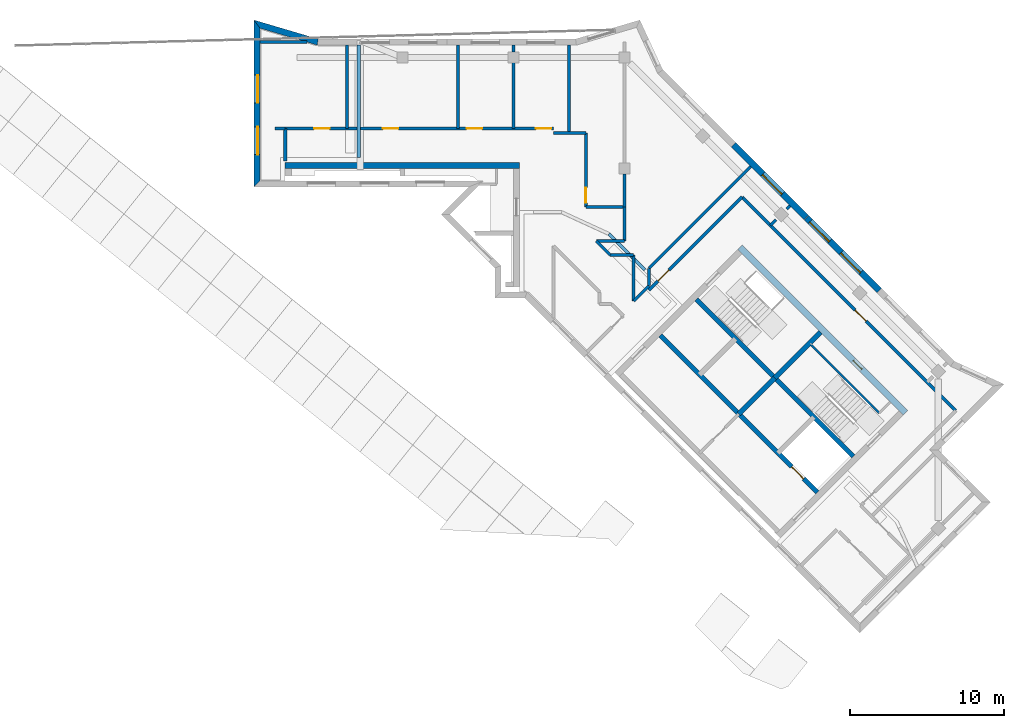
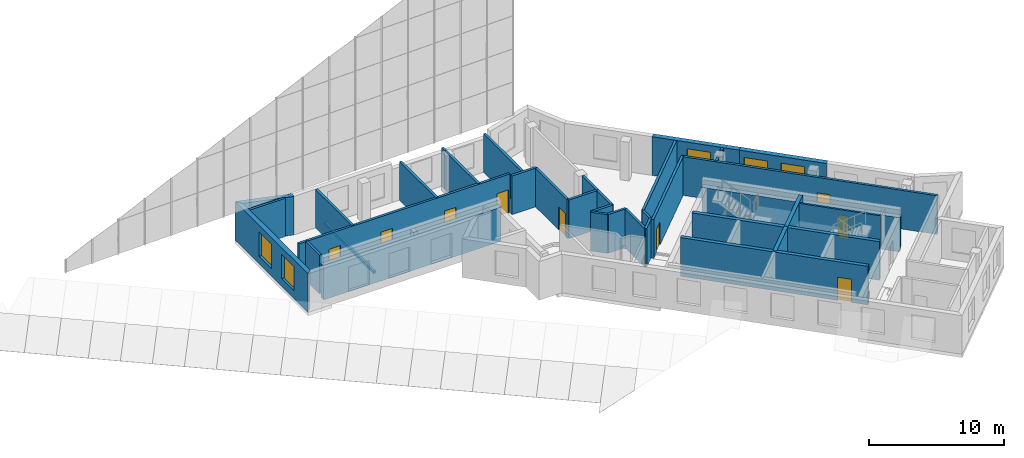
# One storey, part 8 of 13: 39 walls, 9 doors, 5 windows, 14 openings.
"""IFC4 building model written with IfcOpenShell, lengths in metres."""

from ifc_helpers import new_model, si_unit, direction, frame, frame_2d, origin, place, context, subcontext, project, spatial, polyline, rectangle, outline, extrude, material, layer, layer_set, type_object, element, fill, save


model = new_model("IFC4")

# Units and contexts
model_context = context("Model", 3, precision=1e-05, world=origin(), true_north=direction((0.0, 1.0)))
body_context = subcontext(model_context, "Body", "Model", "MODEL_VIEW")
ifc_project = project(units=[si_unit("LENGTHUNIT", "METRE"), si_unit("AREAUNIT", "SQUARE_METRE"), si_unit("VOLUMEUNIT", "CUBIC_METRE"), si_unit("PLANEANGLEUNIT", "RADIAN"), si_unit("MASSUNIT", "GRAM", prefix="KILO")], contexts=[model_context])

# Site, building, storey
site_placement = place(None, origin())
site = spatial("IfcSite", under=ifc_project, at=site_placement, CompositionType="ELEMENT")
building_placement = place(site_placement, origin())
building = spatial("IfcBuilding", under=site, at=building_placement, Name="Windrow Commons", CompositionType="ELEMENT")
storey_placement = place(building_placement, frame((0.0, 0.0, 302.0)))
storey = spatial("IfcBuildingStorey", under=building, at=storey_placement, Name="L82", CompositionType="ELEMENT", Elevation=302.0)

# Wall, opening, door
ifc_material_1 = material(Name="Blockwork partition", Category="masonry")
ifc_layer_1 = layer(ifc_material_1, 0.2)
ifc_layer_set_1 = layer_set([ifc_layer_1], Name="IW-CORRIDOR-200")
wall_type_1 = type_object("IfcWallType", Name="IW-CORRIDOR-200", PredefinedType="PARTITIONING", material=ifc_layer_set_1)
wall_1_placement = place(storey_placement, frame((86.8327, 62.9467, 0.0), z_axis=(0.0, 0.0, 1.0), x_axis=(0.7071067812, -0.7071067812, 0.0)))
wall_1 = element("IfcWall", 1, at=wall_1_placement, inside=storey, type_object=wall_type_1, Name="W-L82-W001", PredefinedType="PARTITIONING", context=body_context, shape_type="SweptSolid", body=[
    extrude(rectangle(XDim=19.601, YDim=0.2, at=frame_2d((9.8005, 0.0))), origin(), (0.0, 0.0, 1.0), 3.5),
])
opening_1_placement = place(wall_1_placement, frame((10.3856, 0.0, 0.0)))
opening_1 = element("IfcOpeningElement", 2, at=opening_1_placement, cuts=wall_1, Name="Opening D410F", PredefinedType="OPENING", context=body_context, shape_type="SweptSolid", body=[
    extrude(rectangle(XDim=1.0, YDim=2.1, at=frame_2d((0.5, 1.05))), frame((0.0, 0.11, 0.0), z_axis=(0.0, -1.0, 0.0), x_axis=(1.0, 0.0, 0.0)), (0.0, 0.0, 1.0), 0.22),
])
ifc_material_2 = material(Name="Timber door leaf", Category="wood")
door_type_1 = type_object("IfcDoorType", Name="DT-SERVICE-1000", OperationType="SINGLE_SWING_LEFT", PredefinedType="DOOR", material=ifc_material_2)
door_1_placement = place(opening_1_placement, origin())
door_1 = element("IfcDoor", 3, at=door_1_placement, inside=storey, type_object=door_type_1, Name="D-L82-D008", OperationType="SINGLE_SWING_LEFT", OverallHeight=2.1, OverallWidth=1.0, PredefinedType="DOOR", context=body_context, shape_type="SweptSolid", body=[
    extrude(rectangle(XDim=1.0, YDim=2.1, at=frame_2d((0.5, 1.05))), frame((0.0, 0.025, 0.0), z_axis=(0.0, -1.0, 0.0), x_axis=(1.0, 0.0, 0.0)), (0.0, 0.0, 1.0), 0.05),
])
fill(opening_1, door_1)

# Wall, openings, doors
wall_2_placement = place(storey_placement, frame((57.2, 67.4, 0.0), z_axis=(0.0, 0.0, 1.0), x_axis=(1.0, 0.0, 0.0)))
wall_2 = element("IfcWall", 4, at=wall_2_placement, inside=storey, type_object=wall_type_1, Name="W-L82-W002", PredefinedType="PARTITIONING", context=body_context, shape_type="SweptSolid", body=[
    extrude(rectangle(XDim=17.4, YDim=0.2, at=frame_2d((8.7, 0.0))), origin(), (0.0, 0.0, 1.0), 3.5),
])
opening_2_placement = place(wall_2_placement, frame((1.8815, 0.0, 0.0)))
opening_2 = element("IfcOpeningElement", 5, at=opening_2_placement, cuts=wall_2, Name="Opening D410F", PredefinedType="OPENING", context=body_context, shape_type="SweptSolid", body=[
    extrude(rectangle(XDim=1.0, YDim=2.1, at=frame_2d((0.5, 1.05))), frame((0.0, 0.11, 0.0), z_axis=(0.0, -1.0, 0.0), x_axis=(1.0, 0.0, 0.0)), (0.0, 0.0, 1.0), 0.22),
])
opening_3_placement = place(wall_2_placement, frame((6.3375, 0.0, 0.0)))
opening_3 = element("IfcOpeningElement", 6, at=opening_3_placement, cuts=wall_2, Name="Opening D410F", PredefinedType="OPENING", context=body_context, shape_type="SweptSolid", body=[
    extrude(rectangle(XDim=1.0, YDim=2.1, at=frame_2d((0.5, 1.05))), frame((0.0, 0.11, 0.0), z_axis=(0.0, -1.0, 0.0), x_axis=(1.0, 0.0, 0.0)), (0.0, 0.0, 1.0), 0.22),
])
opening_4_placement = place(wall_2_placement, frame((11.7675, 0.0, 0.0)))
opening_4 = element("IfcOpeningElement", 7, at=opening_4_placement, cuts=wall_2, Name="Opening D410F", PredefinedType="OPENING", context=body_context, shape_type="SweptSolid", body=[
    extrude(rectangle(XDim=1.0, YDim=2.1, at=frame_2d((0.5, 1.05))), frame((0.0, 0.11, 0.0), z_axis=(0.0, -1.0, 0.0), x_axis=(1.0, 0.0, 0.0)), (0.0, 0.0, 1.0), 0.22),
])
opening_5_placement = place(wall_2_placement, frame((16.2653, 0.0, 0.0)))
opening_5 = element("IfcOpeningElement", 8, at=opening_5_placement, cuts=wall_2, Name="Opening D410F", PredefinedType="OPENING", context=body_context, shape_type="SweptSolid", body=[
    extrude(rectangle(XDim=1.0, YDim=2.1, at=frame_2d((0.5, 1.05))), frame((0.0, 0.11, 0.0), z_axis=(0.0, -1.0, 0.0), x_axis=(1.0, 0.0, 0.0)), (0.0, 0.0, 1.0), 0.22),
])
door_2_placement = place(opening_2_placement, origin())
door_2 = element("IfcDoor", 9, at=door_2_placement, inside=storey, type_object=door_type_1, Name="D-L82-D001", OperationType="SINGLE_SWING_RIGHT", OverallHeight=2.1, OverallWidth=1.0, PredefinedType="DOOR", context=body_context, shape_type="SweptSolid", body=[
    extrude(rectangle(XDim=1.0, YDim=2.1, at=frame_2d((0.5, 1.05))), frame((0.0, 0.025, 0.0), z_axis=(0.0, -1.0, 0.0), x_axis=(1.0, 0.0, 0.0)), (0.0, 0.0, 1.0), 0.05),
])
fill(opening_2, door_2)
door_3_placement = place(opening_3_placement, origin())
door_3 = element("IfcDoor", 10, at=door_3_placement, inside=storey, type_object=door_type_1, Name="D-L82-D002", OperationType="SINGLE_SWING_LEFT", OverallHeight=2.1, OverallWidth=1.0, PredefinedType="DOOR", context=body_context, shape_type="SweptSolid", body=[
    extrude(rectangle(XDim=1.0, YDim=2.1, at=frame_2d((0.5, 1.05))), frame((0.0, 0.025, 0.0), z_axis=(0.0, -1.0, 0.0), x_axis=(1.0, 0.0, 0.0)), (0.0, 0.0, 1.0), 0.05),
])
fill(opening_3, door_3)
door_4_placement = place(opening_4_placement, origin())
door_4 = element("IfcDoor", 11, at=door_4_placement, inside=storey, type_object=door_type_1, Name="D-L82-D003", OperationType="SINGLE_SWING_LEFT", OverallHeight=2.1, OverallWidth=1.0, PredefinedType="DOOR", context=body_context, shape_type="SweptSolid", body=[
    extrude(rectangle(XDim=1.0, YDim=2.1, at=frame_2d((0.5, 1.05))), frame((0.0, 0.025, 0.0), z_axis=(0.0, -1.0, 0.0), x_axis=(1.0, 0.0, 0.0)), (0.0, 0.0, 1.0), 0.05),
])
fill(opening_4, door_4)
door_5_placement = place(opening_5_placement, origin())
door_5 = element("IfcDoor", 12, at=door_5_placement, inside=storey, type_object=door_type_1, Name="D-L82-D004", OperationType="SINGLE_SWING_RIGHT", OverallHeight=2.1, OverallWidth=1.0, PredefinedType="DOOR", context=body_context, shape_type="SweptSolid", body=[
    extrude(rectangle(XDim=1.0, YDim=2.1, at=frame_2d((0.5, 1.05))), frame((0.0, 0.025, 0.0), z_axis=(0.0, -1.0, 0.0), x_axis=(1.0, 0.0, 0.0)), (0.0, 0.0, 1.0), 0.05),
])
fill(opening_5, door_5)

# Wall, opening, door
wall_3_placement = place(storey_placement, frame((80.8038, 56.9122, 0.0), z_axis=(0.0, 0.0, 1.0), x_axis=(0.7069896038, 0.7072239391, 0.0)))
wall_3 = element("IfcWall", 13, at=wall_3_placement, inside=storey, type_object=wall_type_1, Name="W-L82-W005", PredefinedType="PARTITIONING", context=body_context, shape_type="SweptSolid", body=[
    extrude(rectangle(XDim=8.5348, YDim=0.2, at=frame_2d((4.2674, 0.0))), origin(), (0.0, 0.0, 1.0), 3.5),
])
opening_6_placement = place(wall_3_placement, frame((0.8249, 0.0, 0.0)))
opening_6 = element("IfcOpeningElement", 14, at=opening_6_placement, cuts=wall_3, Name="Opening D410F", PredefinedType="OPENING", context=body_context, shape_type="SweptSolid", body=[
    extrude(rectangle(XDim=1.0, YDim=2.1, at=frame_2d((0.5, 1.05))), frame((0.0, 0.11, 0.0), z_axis=(0.0, -1.0, 0.0), x_axis=(1.0, 0.0, 0.0)), (0.0, 0.0, 1.0), 0.22),
])
door_6_placement = place(opening_6_placement, origin())
door_6 = element("IfcDoor", 15, at=door_6_placement, inside=storey, type_object=door_type_1, Name="D-L82-D006", OperationType="SINGLE_SWING_RIGHT", OverallHeight=2.1, OverallWidth=1.0, PredefinedType="DOOR", context=body_context, shape_type="SweptSolid", body=[
    extrude(rectangle(XDim=1.0, YDim=2.1, at=frame_2d((0.5, 1.05))), frame((0.0, 0.025, 0.0), z_axis=(0.0, -1.0, 0.0), x_axis=(1.0, 0.0, 0.0)), (0.0, 0.0, 1.0), 0.05),
])
fill(opening_6, door_6)

wall_4_placement = place(storey_placement, frame((76.7, 62.302, 0.0), z_axis=(0.0, 0.0, 1.0), x_axis=(0.0, 1.0, 0.0)))
wall_4 = element("IfcWall", 16, at=wall_4_placement, inside=storey, type_object=wall_type_1, Name="W-L82-W012", PredefinedType="PARTITIONING", context=body_context, shape_type="SweptSolid", body=[
    extrude(rectangle(XDim=4.798, YDim=0.2, at=frame_2d((2.399, 0.0))), origin(), (0.0, 0.0, 1.0), 3.5),
])
opening_7_placement = place(wall_4_placement, frame((0.2621, 0.0, 0.0)))
opening_7 = element("IfcOpeningElement", 17, at=opening_7_placement, cuts=wall_4, Name="Opening D410F", PredefinedType="OPENING", context=body_context, shape_type="SweptSolid", body=[
    extrude(rectangle(XDim=1.0, YDim=2.1, at=frame_2d((0.5, 1.05))), frame((0.0, 0.11, 0.0), z_axis=(0.0, -1.0, 0.0), x_axis=(1.0, 0.0, 0.0)), (0.0, 0.0, 1.0), 0.22),
])
door_7_placement = place(opening_7_placement, origin())
door_7 = element("IfcDoor", 18, at=door_7_placement, inside=storey, type_object=door_type_1, Name="D-L82-D005", OperationType="SINGLE_SWING_LEFT", OverallHeight=2.1, OverallWidth=1.0, PredefinedType="DOOR", context=body_context, shape_type="SweptSolid", body=[
    extrude(rectangle(XDim=1.0, YDim=2.1, at=frame_2d((0.5, 1.05))), frame((0.0, 0.025, 0.0), z_axis=(0.0, -1.0, 0.0), x_axis=(1.0, 0.0, 0.0)), (0.0, 0.0, 1.0), 0.05),
])
fill(opening_7, door_7)

# Walls
wall_5_placement = place(storey_placement, frame((79.8, 56.198, 0.0), z_axis=(0.0, 0.0, 1.0), x_axis=(0.0, 1.0, 0.0)))
element("IfcWall", 19, at=wall_5_placement, inside=storey, type_object=wall_type_1, Name="W-L82-W019", PredefinedType="PARTITIONING", context=body_context, shape_type="SweptSolid", body=[
    extrude(rectangle(XDim=3.002, YDim=0.2, at=frame_2d((1.501, 0.0))), origin(), (0.0, 0.0, 1.0), 3.5),
])
wall_6_placement = place(storey_placement, frame((76.702, 62.3, 0.0), z_axis=(0.0, 0.0, 1.0), x_axis=(1.0, 0.0, 0.0)))
element("IfcWall", 20, at=wall_6_placement, inside=storey, type_object=wall_type_1, Name="W-L82-W021", PredefinedType="PARTITIONING", context=body_context, shape_type="SweptSolid", body=[
    extrude(rectangle(XDim=2.498, YDim=0.2, at=frame_2d((1.249, 0.0))), origin(), (0.0, 0.0, 1.0), 3.5),
])
wall_7_placement = place(storey_placement, frame((79.2, 60.1, 0.0), z_axis=(0.0, 0.0, 1.0), x_axis=(0.0, 1.0, 0.0)))
element("IfcWall", 21, at=wall_7_placement, inside=storey, type_object=wall_type_1, Name="W-L82-W022", PredefinedType="PARTITIONING", context=body_context, shape_type="SweptSolid", body=[
    extrude(rectangle(XDim=2.2, YDim=0.2, at=frame_2d((1.1, 0.0))), origin(), (0.0, 0.0, 1.0), 3.5),
])
wall_8_placement = place(storey_placement, frame((57.2, 65.28, 0.0), z_axis=(0.0, 0.0, 1.0), x_axis=(0.0, 1.0, 0.0)))
element("IfcWall", 22, at=wall_8_placement, inside=storey, type_object=wall_type_1, Name="W-L82-W025", PredefinedType="PARTITIONING", context=body_context, shape_type="SweptSolid", body=[
    extrude(rectangle(XDim=2.12, YDim=0.2, at=frame_2d((1.06, 0.0))), origin(), (0.0, 0.0, 1.0), 3.5),
])
wall_9_placement = place(storey_placement, frame((74.602, 67.1, 0.0), z_axis=(0.0, 0.0, 1.0), x_axis=(1.0, 0.0, 0.0)))
element("IfcWall", 23, at=wall_9_placement, inside=storey, type_object=wall_type_1, Name="W-L82-W026", PredefinedType="PARTITIONING", context=body_context, shape_type="SweptSolid", body=[
    extrude(rectangle(XDim=2.098, YDim=0.2, at=frame_2d((1.049, 0.0))), origin(), (0.0, 0.0, 1.0), 3.5),
])
wall_10_placement = place(storey_placement, frame((77.384, 60.1, 0.0), z_axis=(0.0, 0.0, 1.0), x_axis=(1.0, 0.0, 0.0)))
element("IfcWall", 24, at=wall_10_placement, inside=storey, type_object=wall_type_1, Name="W-L82-W029", PredefinedType="PARTITIONING", context=body_context, shape_type="SweptSolid", body=[
    extrude(rectangle(XDim=1.816, YDim=0.2, at=frame_2d((0.908, 0.0))), origin(), (0.0, 0.0, 1.0), 3.5),
])
wall_11_placement = place(storey_placement, frame((78.282, 59.2, 0.0), z_axis=(0.0, 0.0, 1.0), x_axis=(1.0, 0.0, 0.0)))
element("IfcWall", 25, at=wall_11_placement, inside=storey, type_object=wall_type_1, Name="W-L82-W030", PredefinedType="PARTITIONING", context=body_context, shape_type="SweptSolid", body=[
    extrude(rectangle(XDim=1.518, YDim=0.2, at=frame_2d((0.759, 0.0))), origin(), (0.0, 0.0, 1.0), 3.5),
])
wall_12_placement = place(storey_placement, frame((79.8033, 56.1947, 0.0), z_axis=(0.0, 0.0, 1.0), x_axis=(0.7063986127, 0.7078142412, 0.0)))
element("IfcWall", 26, at=wall_12_placement, inside=storey, type_object=wall_type_1, Name="W-L82-W031", PredefinedType="PARTITIONING", context=body_context, shape_type="SweptSolid", body=[
    extrude(rectangle(XDim=1.4128, YDim=0.2, at=frame_2d((0.7064, 0.0))), origin(), (0.0, 0.0, 1.0), 3.5),
])
wall_13_placement = place(storey_placement, frame((77.3809, 60.0949, 0.0), z_axis=(0.0, 0.0, 1.0), x_axis=(0.7071067812, -0.7071067812, 0.0)))
element("IfcWall", 27, at=wall_13_placement, inside=storey, type_object=wall_type_1, Name="W-L82-W032", PredefinedType="PARTITIONING", context=body_context, shape_type="SweptSolid", body=[
    extrude(rectangle(XDim=1.27, YDim=0.2, at=frame_2d((0.635, 0.0))), origin(), (0.0, 0.0, 1.0), 3.5),
])
ifc_material_3 = material(Name="Blockwork partition", Category="masonry")
ifc_layer_2 = layer(ifc_material_3, 0.2)
ifc_layer_set_2 = layer_set([ifc_layer_2], Name="IW-PARTY-200")
wall_type_2 = type_object("IfcWallType", Name="IW-PARTY-200", PredefinedType="PARTITIONING", material=ifc_layer_set_2)
wall_14_placement = place(storey_placement, frame((72.0, 67.4, 0.0), z_axis=(0.0, 0.0, 1.0), x_axis=(0.0, 1.0, 0.0)))
element("IfcWall", 28, at=wall_14_placement, inside=storey, type_object=wall_type_2, Name="W-L82-W014", PredefinedType="PARTITIONING", context=body_context, shape_type="SweptSolid", body=[
    extrude(rectangle(XDim=4.95, YDim=0.2, at=frame_2d((2.475, 0.0))), origin(), (0.0, 0.0, 1.0), 3.5),
])
wall_15_placement = place(storey_placement, frame((79.2, 62.3, 0.0), z_axis=(0.0, 0.0, 1.0), x_axis=(0.0, 1.0, 0.0)))
element("IfcWall", 29, at=wall_15_placement, inside=storey, type_object=wall_type_2, Name="W-L82-W024", PredefinedType="PARTITIONING", context=body_context, shape_type="SweptSolid", body=[
    extrude(rectangle(XDim=2.15, YDim=0.2, at=frame_2d((1.075, 0.0))), origin(), (0.0, 0.0, 1.0), 3.5),
])
wall_16_placement = place(storey_placement, frame((80.8, 57.196, 0.0), z_axis=(0.0, 0.0, 1.0), x_axis=(0.0, 1.0, 0.0)))
element("IfcWall", 30, at=wall_16_placement, inside=storey, type_object=wall_type_2, Name="W-L82-W033", PredefinedType="PARTITIONING", context=body_context, shape_type="SweptSolid", body=[
    extrude(rectangle(XDim=1.13, YDim=0.2, at=frame_2d((0.565, 0.0))), origin(), (0.0, 0.0, 1.0), 3.5),
])
wall_17_placement = place(storey_placement, frame((56.53, 67.4, 0.0), z_axis=(0.0, 0.0, 1.0), x_axis=(1.0, 0.0, 0.0)))
element("IfcWall", 31, at=wall_17_placement, inside=storey, type_object=wall_type_2, Name="W-L82-W038", PredefinedType="PARTITIONING", context=body_context, shape_type="SweptSolid", body=[
    extrude(rectangle(XDim=0.67, YDim=0.2, at=frame_2d((0.335, 0.0))), origin(), (0.0, 0.0, 1.0), 3.5),
])
wall_18_placement = place(storey_placement, frame((88.6745, 61.1115, 0.0), z_axis=(0.0, 0.0, 1.0), x_axis=(0.7071067812, 0.7071067812, 0.0)))
element("IfcWall", 32, at=wall_18_placement, inside=storey, type_object=wall_type_2, Name="W-L82-W044", PredefinedType="PARTITIONING", context=body_context, shape_type="SweptSolid", body=[
    extrude(rectangle(XDim=0.5063, YDim=0.2, at=frame_2d((0.2531, 0.0))), origin(), (0.0, 0.0, 1.0), 3.5),
])
wall_19_placement = place(storey_placement, frame((55.567, 73.0, 0.0), z_axis=(0.0, 0.0, 1.0), x_axis=(1.0, 0.0, 0.0)))
element("IfcWall", 33, at=wall_19_placement, inside=storey, type_object=wall_type_2, Name="W-L82-W000", PredefinedType="PARTITIONING", context=body_context, shape_type="SweptSolid", body=[
    extrude(outline(polyline([(0.0, -0.1), (3.0381, -0.1), (3.0381, 0.1), (0.0, 0.1), (0.0, -0.1)])), origin(), (0.0, 0.0, 1.0), 3.5),
])
wall_20_placement = place(storey_placement, frame((80.7989, 58.3271, 0.0), z_axis=(0.0, 0.0, 1.0), x_axis=(0.7071067812, 0.7071067812, 0.0)))
element("IfcWall", 34, at=wall_20_placement, inside=storey, type_object=wall_type_2, Name="W-L82-W003", PredefinedType="PARTITIONING", context=body_context, shape_type="SweptSolid", body=[
    extrude(outline(polyline([(0.0, -0.1), (9.3376, -0.1), (9.3376, 0.1), (0.0, 0.1), (0.0, -0.1)])), origin(), (0.0, 0.0, 1.0), 3.5),
])
wall_21_placement = place(storey_placement, frame((75.6, 67.1, 0.0), z_axis=(0.0, 0.0, 1.0), x_axis=(0.0, 1.0, 0.0)))
element("IfcWall", 35, at=wall_21_placement, inside=storey, type_object=wall_type_2, Name="W-L82-W008", PredefinedType="PARTITIONING", context=body_context, shape_type="SweptSolid", body=[
    extrude(outline(polyline([(0.0, -0.1), (5.7, -0.1), (5.7, 0.1), (0.0, 0.1), (0.0, -0.1)])), origin(), (0.0, 0.0, 1.0), 3.5),
])
for number, where, z_axis, x_axis, name in (
    (36, (61.2, 67.4, 0.0), (0.0, 0.0, 1.0), (0.0, 1.0, 0.0), "W-L82-W009"),
    (37, (68.4, 67.4, 0.0), (0.0, 0.0, 1.0), (0.0, 1.0, 0.0), "W-L82-W010"),
):
    element("IfcWall", number, at=place(storey_placement, frame(where, z_axis=z_axis, x_axis=x_axis)), inside=storey, type_object=wall_type_2, Name=name, PredefinedType="PARTITIONING", context=body_context, shape_type="SweptSolid", body=[
        extrude(outline(polyline([(0.0, -0.1), (5.4, -0.1), (5.4, 0.1), (0.0, 0.1), (0.0, -0.1)])), origin(), (0.0, 0.0, 1.0), 3.5),
    ])
wall_22_placement = place(storey_placement, frame((72.0, 72.35, 0.0), z_axis=(0.0, 0.0, 1.0), x_axis=(0.0, 1.0, 0.0)))
element("IfcWall", 38, at=wall_22_placement, inside=storey, type_object=wall_type_2, Name="W-L82-W039", PredefinedType="PARTITIONING", context=body_context, shape_type="SweptSolid", body=[
    extrude(outline(polyline([(0.0, -0.1), (0.45, -0.1), (0.45, 0.1), (0.0, 0.1), (0.0, -0.1)])), origin(), (0.0, 0.0, 1.0), 3.5),
])
wall_23_placement = place(storey_placement, frame((89.7305, 62.1675, 0.0), z_axis=(0.0, 0.0, 1.0), x_axis=(0.7071067812, 0.7071067812, 0.0)))
element("IfcWall", 39, at=wall_23_placement, inside=storey, type_object=wall_type_2, Name="W-L82-W041", PredefinedType="PARTITIONING", context=body_context, shape_type="SweptSolid", body=[
    extrude(outline(polyline([(0.0, -0.1), (0.3065, -0.1), (0.3065, 0.1), (0.0, 0.1), (0.0, -0.1)])), origin(), (0.0, 0.0, 1.0), 3.5),
])
ifc_material_4 = material(Name="Concrete C40/50", Category="concrete")
ifc_layer_3 = layer(ifc_material_4, 0.4)
ifc_layer_set_3 = layer_set([ifc_layer_3], Name="RC CORE WALL 400 C40/50")
wall_type_3 = type_object("IfcWallType", Name="RC CORE WALL 400 C40/50", PredefinedType="SHEAR", material=ifc_layer_set_3)
wall_24_placement = place(storey_placement, frame((57.2, 65.0, -0.3), z_axis=(0.0, 0.0, 1.0), x_axis=(1.0, 0.0, 0.0)))
element("IfcWall", 40, at=wall_24_placement, inside=storey, type_object=wall_type_3, Name="Core A wall outer-N", PredefinedType="SHEAR", context=body_context, shape_type="SweptSolid", body=[
    extrude(outline(polyline([(0.0, 0.0), (15.2, 0.0), (15.2, 3.1), (0.0, 3.1), (0.0, 0.0)])), frame((0.0, 0.2, 0.0), z_axis=(0.0, -1.0, 0.0), x_axis=(1.0, 0.0, 0.0)), (0.0, 0.0, 1.0), 0.4),
])

# Wall, opening, door
wall_25_placement = place(storey_placement, frame((86.6953, 59.6963, -0.3), z_axis=(0.0, 0.0, 1.0), x_axis=(0.7071100706, -0.7071034917, 0.0)))
wall_25 = element("IfcWall", 41, at=wall_25_placement, inside=storey, type_object=wall_type_3, Name="Core B wall outer-N", PredefinedType="SHEAR", context=body_context, shape_type="SweptSolid", body=[
    extrude(outline(polyline([(0.0, 0.0), (15.2, 0.0), (15.2, 3.1), (0.0, 3.1), (0.0, 0.0)])), frame((0.0, 0.2, 0.0), z_axis=(0.0, -1.0, 0.0), x_axis=(1.0, 0.0, 0.0)), (0.0, 0.0, 1.0), 0.4),
])
opening_8_placement = place(wall_25_placement, frame((10.4, 0.0, 0.3)))
opening_8 = element("IfcOpeningElement", 42, at=opening_8_placement, cuts=wall_25, Name="Opening D9", PredefinedType="OPENING", context=body_context, shape_type="SweptSolid", body=[
    extrude(rectangle(XDim=0.8, YDim=2.1, at=frame_2d((0.4, 1.05))), frame((0.0, 0.21, 0.0), z_axis=(0.0, -1.0, 0.0), x_axis=(1.0, 0.0, 0.0)), (0.0, 0.0, 1.0), 0.42),
])
ifc_material_5 = material(Name="Steel fire door leaf", Category="steel")
door_type_2 = type_object("IfcDoorType", Name="Riser access door 800", OperationType="SINGLE_SWING_LEFT", PredefinedType="DOOR", material=ifc_material_5)
door_8_placement = place(opening_8_placement, origin())
door_8 = element("IfcDoor", 43, at=door_8_placement, inside=storey, type_object=door_type_2, Name="Riser access door", OperationType="SINGLE_SWING_RIGHT", OverallHeight=2.1, OverallWidth=0.8, PredefinedType="DOOR", context=body_context, shape_type="SweptSolid", body=[
    extrude(rectangle(XDim=0.8, YDim=2.1, at=frame_2d((0.4, 1.05))), frame((0.0, 0.025, 0.0), z_axis=(0.0, -1.0, 0.0), x_axis=(1.0, 0.0, 0.0)), (0.0, 0.0, 1.0), 0.05),
])
fill(opening_8, door_8)

# Wall
ifc_material_6 = material(Name="Concrete C40/50", Category="concrete")
ifc_layer_4 = layer(ifc_material_6, 0.3)
ifc_layer_set_4 = layer_set([ifc_layer_4], Name="RC SHAFT WALL 300 C40/50")
wall_type_4 = type_object("IfcWallType", Name="RC SHAFT WALL 300 C40/50", PredefinedType="SOLIDWALL", material=ifc_layer_set_4)
wall_26_placement = place(storey_placement, frame((86.6246, 48.8776, 0.0), z_axis=(0.0, 0.0, 1.0), x_axis=(0.7071067812, 0.7071067812, 0.0)))
element("IfcWall", 44, at=wall_26_placement, inside=storey, type_object=wall_type_4, Name="Core B wall shaft-N2", PredefinedType="SOLIDWALL", context=body_context, shape_type="SweptSolid", body=[
    extrude(outline(polyline([(0.0, 0.0), (3.3001, 0.0), (3.3001, 3.5), (0.0, 3.5), (0.0, 0.0)])), frame((0.0, 0.15, 0.0), z_axis=(0.0, -1.0, 0.0), x_axis=(1.0, 0.0, 0.0)), (0.0, 0.0, 1.0), 0.3),
])

# Wall, opening, door
wall_27_placement = place(storey_placement, frame((81.5335, 53.9688, 0.0), z_axis=(0.0, 0.0, 1.0), x_axis=(0.707103309, -0.7071102534, 0.0)))
wall_27 = element("IfcWall", 45, at=wall_27_placement, inside=storey, type_object=wall_type_4, Name="Core B wall lobby-N", PredefinedType="SOLIDWALL", context=body_context, shape_type="SweptSolid", body=[
    extrude(outline(polyline([(0.0, 0.0), (14.4, 0.0), (14.4, 3.5), (0.0, 3.5), (0.0, 0.0)])), frame((0.0, 0.15, 0.0), z_axis=(0.0, -1.0, 0.0), x_axis=(1.0, 0.0, 0.0)), (0.0, 0.0, 1.0), 0.3),
])
opening_9_placement = place(wall_27_placement, frame((12.05, 0.0, 0.0)))
opening_9 = element("IfcOpeningElement", 46, at=opening_9_placement, cuts=wall_27, Name="Opening LD", PredefinedType="OPENING", context=body_context, shape_type="SweptSolid", body=[
    extrude(rectangle(XDim=1.1, YDim=2.1, at=frame_2d((0.55, 1.05))), frame((0.0, 0.16, 0.0), z_axis=(0.0, -1.0, 0.0), x_axis=(1.0, 0.0, 0.0)), (0.0, 0.0, 1.0), 0.32),
])
ifc_material_7 = material(Name="Stainless steel door leaf", Category="steel")
door_type_3 = type_object("IfcDoorType", Name="Lift landing door 1100", OperationType="SLIDING_TO_LEFT", PredefinedType="DOOR", material=ifc_material_7)
door_9_placement = place(opening_9_placement, origin())
door_9 = element("IfcDoor", 47, at=door_9_placement, inside=storey, type_object=door_type_3, Name="Lift landing door", OperationType="SLIDING_TO_RIGHT", OverallHeight=2.1, OverallWidth=1.1, PredefinedType="DOOR", context=body_context, shape_type="SweptSolid", body=[
    extrude(rectangle(XDim=1.1, YDim=2.1, at=frame_2d((0.55, 1.05))), frame((0.0, 0.025, 0.0), z_axis=(0.0, -1.0, 0.0), x_axis=(1.0, 0.0, 0.0)), (0.0, 0.0, 1.0), 0.05),
])
fill(opening_9, door_9)

# Walls
for number, where, z_axis, x_axis, name in (
    (48, (83.8669, 56.3022, 0.0), (0.0, 0.0, 1.0), (0.7071137256, -0.7070998367, 0.0), "Core B wall stair-S"),
    (49, (88.9581, 51.2111, 0.0), (0.0, 0.0, 1.0), (0.7070998367, -0.7071137256, 0.0), "Core B wall stair-S2"),
):
    element("IfcWall", number, at=place(storey_placement, frame(where, z_axis=z_axis, x_axis=x_axis)), inside=storey, type_object=wall_type_4, Name=name, PredefinedType="SOLIDWALL", context=body_context, shape_type="SweptSolid", body=[
        extrude(outline(polyline([(0.0, 0.0), (7.2, 0.0), (7.2, 3.5), (0.0, 3.5), (0.0, 0.0)])), frame((0.0, 0.15, 0.0), z_axis=(0.0, -1.0, 0.0), x_axis=(1.0, 0.0, 0.0)), (0.0, 0.0, 1.0), 0.3),
    ])
wall_28_placement = place(storey_placement, frame((88.9581, 51.2111, 0.0), z_axis=(0.0, 0.0, 1.0), x_axis=(0.7071067812, 0.7071067812, 0.0)))
element("IfcWall", 50, at=wall_28_placement, inside=storey, type_object=wall_type_4, Name="Core B wall stair-mid", PredefinedType="SOLIDWALL", context=body_context, shape_type="SweptSolid", body=[
    extrude(outline(polyline([(0.0, 0.0), (4.1999, 0.0), (4.1999, 3.5), (0.0, 3.5), (0.0, 0.0)])), frame((0.0, 0.15, 0.0), z_axis=(0.0, -1.0, 0.0), x_axis=(1.0, 0.0, 0.0)), (0.0, 0.0, 1.0), 0.3),
])
ifc_material_8 = material(Name="Blockwork partition", Category="masonry")
ifc_layer_5 = layer(ifc_material_8, 0.15)
ifc_layer_set_5 = layer_set([ifc_layer_5], Name="Riser partition 150")
wall_type_5 = type_object("IfcWallType", Name="Riser partition 150", PredefinedType="PARTITIONING", material=ifc_layer_set_5)
wall_29_placement = place(storey_placement, frame((91.3127, 53.3536, 0.0), z_axis=(0.0, 0.0, 1.0), x_axis=(0.7071147811, -0.7070987812, 0.0)))
element("IfcWall", 51, at=wall_29_placement, inside=storey, type_object=wall_type_5, Name="W-core-strip-B-L82", PredefinedType="PARTITIONING", context=body_context, shape_type="SweptSolid", body=[
    extrude(outline(polyline([(0.0, 0.0), (6.25, 0.0), (6.25, 3.5), (0.0, 3.5), (0.0, 0.0)])), frame((0.0, 0.075, 0.0), z_axis=(0.0, -1.0, 0.0), x_axis=(1.0, 0.0, 0.0)), (0.0, 0.0, 1.0), 0.15),
])
ifc_material_9 = material(Name="Brick masonry, red clay brick", Category="masonry")
ifc_layer_6 = layer(ifc_material_9, 0.2)
ifc_layer_set_6 = layer_set([ifc_layer_6], Name="Terrace edge parapet 200")
wall_type_6 = type_object("IfcWallType", Name="Terrace edge parapet 200", PredefinedType="PARAPET", material=ifc_layer_set_6)
wall_30_placement = place(storey_placement, frame((61.967, 65.5, 0.0), z_axis=(0.0, 0.0, 1.0), x_axis=(0.0, 1.0, 0.0)))
element("IfcWall", 52, at=wall_30_placement, inside=storey, type_object=wall_type_6, Name="Terrace parapet TR-L82-1.1.1", PredefinedType="PARAPET", context=body_context, shape_type="SweptSolid", body=[
    extrude(outline(polyline([(0.0, -0.1), (7.3, -0.1), (7.3, 0.1), (0.0, 0.1), (0.0, -0.1)])), origin(), (0.0, 0.0, 1.0), 0.25),
])
wall_31_placement = place(storey_placement, frame((80.5312, 58.2238, 0.0), z_axis=(0.0, 0.0, 1.0), x_axis=(-0.7071219462, 0.7070916158, 0.0)))
element("IfcWall", 53, at=wall_31_placement, inside=storey, type_object=wall_type_6, Name="Terrace parapet TR-L82-2.2.1", PredefinedType="PARAPET", context=body_context, shape_type="SweptSolid", body=[
    extrude(outline(polyline([(0.0, -0.1), (3.315, -0.1), (3.2791, 0.1), (0.0, 0.1), (0.0, -0.1)])), origin(), (0.0, 0.0, 1.0), 0.25),
])

# Wall, openings, windows
ifc_material_10 = material(Name="Standing seam zinc cladding on insulated masonry backing", Category="masonry")
ifc_layer_7 = layer(ifc_material_10, 0.4)
ifc_layer_set_7 = layer_set([ifc_layer_7], Name="Zinc clad crown wall 400")
wall_type_7 = type_object("IfcWallType", Name="Zinc clad crown wall 400", PredefinedType="SOLIDWALL", material=ifc_layer_set_7)
wall_32_placement = place(storey_placement, frame((95.7299, 56.8844, 0.0), z_axis=(0.0, 0.0, 1.0), x_axis=(-0.7071067812, 0.7071067812, 0.0)))
wall_32 = element("IfcWall", 54, at=wall_32_placement, inside=storey, type_object=wall_type_7, Name="Brick facade wall L82 5", PredefinedType="SOLIDWALL", context=body_context, shape_type="SweptSolid", body=[
    extrude(outline(polyline([(0.0, -0.2), (6.6821, -0.2), (6.6821, 0.2), (0.0, 0.2), (0.0, -0.2)])), origin(), (0.0, 0.0, 1.0), 3.5),
])
opening_10_placement = place(wall_32_placement, frame((1.6768, 0.0, 0.7)))
opening_10 = element("IfcOpeningElement", 55, at=opening_10_placement, cuts=wall_32, Name="Opening W6", PredefinedType="OPENING", context=body_context, shape_type="SweptSolid", body=[
    extrude(rectangle(XDim=1.8, YDim=2.2, at=frame_2d((0.9, 1.1))), frame((0.0, 0.21, 0.0), z_axis=(0.0, -1.0, 0.0), x_axis=(1.0, 0.0, 0.0)), (0.0, 0.0, 1.0), 0.42),
])
opening_11_placement = place(wall_32_placement, frame((4.5295, 0.0, 0.7)))
opening_11 = element("IfcOpeningElement", 56, at=opening_11_placement, cuts=wall_32, Name="Opening W6", PredefinedType="OPENING", context=body_context, shape_type="SweptSolid", body=[
    extrude(rectangle(XDim=1.8, YDim=2.2, at=frame_2d((0.9, 1.1))), frame((0.0, 0.21, 0.0), z_axis=(0.0, -1.0, 0.0), x_axis=(1.0, 0.0, 0.0)), (0.0, 0.0, 1.0), 0.42),
])
ifc_material_11 = material(Name="Clear float glass in anodised aluminium frame", Category="aluminium")
window_type = type_object("IfcWindowType", Name="Window W6 crown 1800x2200", PartitioningType="SINGLE_PANEL", PredefinedType="WINDOW", material=ifc_material_11)
window_1_placement = place(opening_10_placement, origin())
window_1 = element("IfcWindow", 57, at=window_1_placement, inside=storey, type_object=window_type, Name="Window L82 5.1", OverallHeight=2.2, OverallWidth=1.8, PartitioningType="SINGLE_PANEL", PredefinedType="WINDOW", context=body_context, shape_type="SweptSolid", body=[
    extrude(rectangle(XDim=1.8, YDim=2.2, at=frame_2d((0.9, 1.1))), frame((0.0, 0.08, 0.0), z_axis=(0.0, -1.0, 0.0), x_axis=(1.0, 0.0, 0.0)), (0.0, 0.0, 1.0), 0.06),
])
fill(opening_10, window_1)
window_2_placement = place(opening_11_placement, origin())
window_2 = element("IfcWindow", 58, at=window_2_placement, inside=storey, type_object=window_type, Name="Window L82 5.2", OverallHeight=2.2, OverallWidth=1.8, PartitioningType="SINGLE_PANEL", PredefinedType="WINDOW", context=body_context, shape_type="SweptSolid", body=[
    extrude(rectangle(XDim=1.8, YDim=2.2, at=frame_2d((0.9, 1.1))), frame((0.0, 0.08, 0.0), z_axis=(0.0, -1.0, 0.0), x_axis=(1.0, 0.0, 0.0)), (0.0, 0.0, 1.0), 0.06),
])
fill(opening_11, window_2)

# Wall, opening, window
wall_33_placement = place(storey_placement, frame((91.0049, 61.6094, 0.0), z_axis=(0.0, 0.0, 1.0), x_axis=(-0.7071142638, 0.7070992985, 0.0)))
wall_33 = element("IfcWall", 59, at=wall_33_placement, inside=storey, type_object=wall_type_7, Name="Brick facade wall L82 6", PredefinedType="SOLIDWALL", context=body_context, shape_type="SweptSolid", body=[
    extrude(outline(polyline([(0.0, -0.2), (6.6821, -0.2), (6.6821, 0.2), (0.0, 0.2), (0.0, -0.2)])), origin(), (0.0, 0.0, 1.0), 3.5),
])
opening_12_placement = place(wall_33_placement, frame((2.1946, 0.0, 0.7)))
opening_12 = element("IfcOpeningElement", 60, at=opening_12_placement, cuts=wall_33, Name="Opening W6", PredefinedType="OPENING", context=body_context, shape_type="SweptSolid", body=[
    extrude(rectangle(XDim=1.8, YDim=2.2, at=frame_2d((0.9, 1.1))), frame((0.0, 0.21, 0.0), z_axis=(0.0, -1.0, 0.0), x_axis=(1.0, 0.0, 0.0)), (0.0, 0.0, 1.0), 0.42),
])
window_3_placement = place(opening_12_placement, origin())
window_3 = element("IfcWindow", 61, at=window_3_placement, inside=storey, type_object=window_type, Name="Window L82 6.1", OverallHeight=2.2, OverallWidth=1.8, PartitioningType="SINGLE_PANEL", PredefinedType="WINDOW", context=body_context, shape_type="SweptSolid", body=[
    extrude(rectangle(XDim=1.8, YDim=2.2, at=frame_2d((0.9, 1.1))), frame((0.0, 0.08, 0.0), z_axis=(0.0, -1.0, 0.0), x_axis=(1.0, 0.0, 0.0)), (0.0, 0.0, 1.0), 0.06),
])
fill(opening_12, window_3)

# Wall
wall_34_placement = place(storey_placement, frame((59.3108, 73.0, 0.0), z_axis=(0.0, 0.0, 1.0), x_axis=(-0.9590053928, 0.2833878201, 0.0)))
element("IfcWall", 62, at=wall_34_placement, inside=storey, type_object=wall_type_7, Name="Brick facade wall L82 12", PredefinedType="SOLIDWALL", context=body_context, shape_type="SweptSolid", body=[
    extrude(outline(polyline([(0.0289, -0.2), (4.3801, -0.2), (3.8448, 0.2), (-0.0289, 0.2), (0.0289, -0.2)])), origin(), (0.0, 0.0, 1.0), 3.5),
])

# Wall, openings, windows
wall_35_placement = place(storey_placement, frame((55.367, 74.1654, 0.0), z_axis=(0.0, 0.0, 1.0), x_axis=(0.0, -1.0, 0.0)))
wall_35 = element("IfcWall", 63, at=wall_35_placement, inside=storey, type_object=wall_type_7, Name="Brick facade wall L82 13", PredefinedType="SOLIDWALL", context=body_context, shape_type="SweptSolid", body=[
    extrude(outline(polyline([(-0.2676, -0.2), (10.5654, -0.2), (10.1654, 0.2), (0.2676, 0.2), (-0.2676, -0.2)])), origin(), (0.0, 0.0, 1.0), 3.5),
])
opening_13_placement = place(wall_35_placement, frame((3.3154, 0.0, 0.7)))
opening_13 = element("IfcOpeningElement", 64, at=opening_13_placement, cuts=wall_35, Name="Opening W6", PredefinedType="OPENING", context=body_context, shape_type="SweptSolid", body=[
    extrude(rectangle(XDim=1.8, YDim=2.2, at=frame_2d((0.9, 1.1))), frame((0.0, 0.21, 0.0), z_axis=(0.0, -1.0, 0.0), x_axis=(1.0, 0.0, 0.0)), (0.0, 0.0, 1.0), 0.42),
])
opening_14_placement = place(wall_35_placement, frame((6.6654, 0.0, 0.7)))
opening_14 = element("IfcOpeningElement", 65, at=opening_14_placement, cuts=wall_35, Name="Opening W6", PredefinedType="OPENING", context=body_context, shape_type="SweptSolid", body=[
    extrude(rectangle(XDim=1.8, YDim=2.2, at=frame_2d((0.9, 1.1))), frame((0.0, 0.21, 0.0), z_axis=(0.0, -1.0, 0.0), x_axis=(1.0, 0.0, 0.0)), (0.0, 0.0, 1.0), 0.42),
])
window_4_placement = place(opening_13_placement, origin())
window_4 = element("IfcWindow", 66, at=window_4_placement, inside=storey, type_object=window_type, Name="Window L82 13.1", OverallHeight=2.2, OverallWidth=1.8, PartitioningType="SINGLE_PANEL", PredefinedType="WINDOW", context=body_context, shape_type="SweptSolid", body=[
    extrude(rectangle(XDim=1.8, YDim=2.2, at=frame_2d((0.9, 1.1))), frame((0.0, 0.08, 0.0), z_axis=(0.0, -1.0, 0.0), x_axis=(1.0, 0.0, 0.0)), (0.0, 0.0, 1.0), 0.06),
])
fill(opening_13, window_4)
window_5_placement = place(opening_14_placement, origin())
window_5 = element("IfcWindow", 67, at=window_5_placement, inside=storey, type_object=window_type, Name="Window L82 13.2", OverallHeight=2.2, OverallWidth=1.8, PartitioningType="SINGLE_PANEL", PredefinedType="WINDOW", context=body_context, shape_type="SweptSolid", body=[
    extrude(rectangle(XDim=1.8, YDim=2.2, at=frame_2d((0.9, 1.1))), frame((0.0, 0.08, 0.0), z_axis=(0.0, -1.0, 0.0), x_axis=(1.0, 0.0, 0.0)), (0.0, 0.0, 1.0), 0.06),
])
fill(opening_14, window_5)

save(model, "model.ifc")
